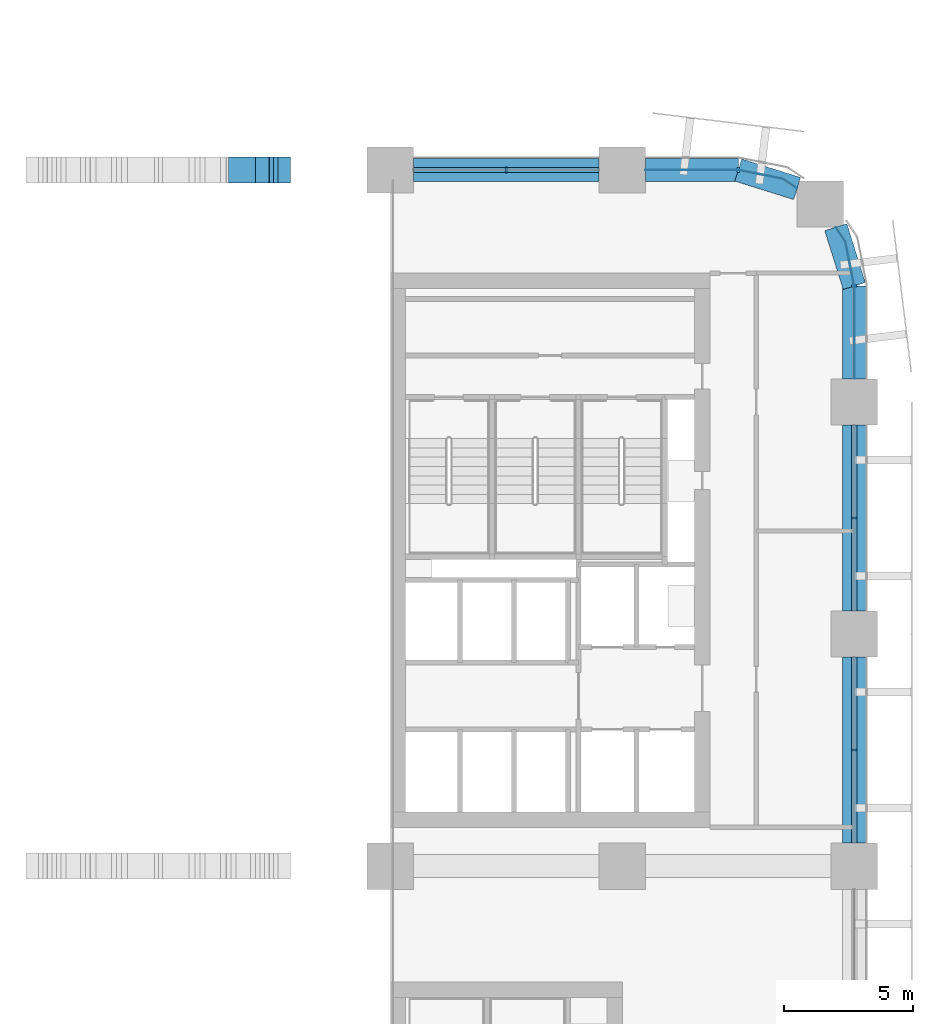
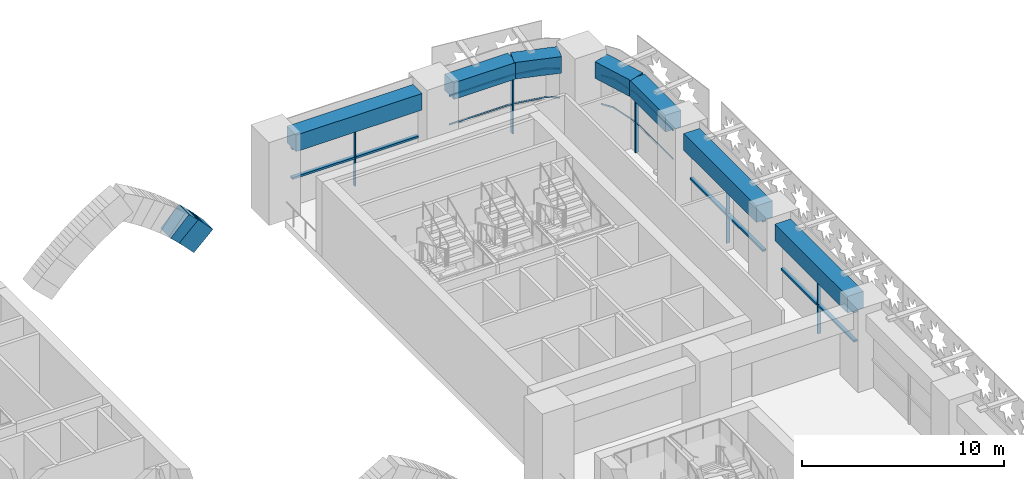
# One storey, part 9 of 40: 17 members, 7 beams, 5 elements without a shape of their own.
"""IFC4 building model written with IfcOpenShell, lengths in metres."""

from ifc_helpers import new_model, si_unit, direction, frame, origin, origin_2d, place, context, subcontext, project, spatial, polyline, rectangle, outline, extrude, material, material_profile, profile_set, type_object, element, aggregate, save


model = new_model("IFC4")

# Units and contexts
model_context = context("Model", 3, precision=1e-05, world=origin(), true_north=direction((0.0, 1.0)))
body_context = subcontext(model_context, "Body", "Model", "MODEL_VIEW")
ifc_project = project(units=[si_unit("LENGTHUNIT", "METRE"), si_unit("AREAUNIT", "SQUARE_METRE"), si_unit("VOLUMEUNIT", "CUBIC_METRE"), si_unit("PLANEANGLEUNIT", "RADIAN"), si_unit("MASSUNIT", "GRAM", prefix="KILO")], contexts=[model_context])

# Site, building, storey
site_placement = place(None, origin())
site = spatial("IfcSite", under=ifc_project, at=site_placement, CompositionType="ELEMENT")
building_placement = place(site_placement, origin())
building = spatial("IfcBuilding", under=site, at=building_placement, Name="Tessera Arch", CompositionType="ELEMENT")
storey_placement = place(building_placement, frame((0.0, 0.0, 21.0)))
storey = spatial("IfcBuildingStorey", under=building, at=storey_placement, Name="L03", CompositionType="ELEMENT", Elevation=21.0)

# Members
ifc_material_1 = material(Name="Concrete C80/95", Category="concrete")
ifc_material_profile_1 = material_profile(ifc_material_1, rectangle(XDim=1.0, YDim=1.5, at=origin_2d()), Name="RC 1000x1500")
ifc_profile_set_1 = profile_set([ifc_material_profile_1], Name="Concrete C80/95")
member_type_1 = type_object("IfcMemberType", Name="Arch rib RC 1000x1500", PredefinedType="MEMBER", material=ifc_profile_set_1)
for number, where, z_axis, x_axis, name in (
    (1, (31.590576171875, 54.0, 0.057861328125), (-0.686468964072, 0.0, 0.727159103199), (0.0, -1.0, 0.0), "Arch rib C segment 25"),
    (2, (31.113525390625, 54.0, 0.57861328125), (-0.716556380698, 0.0, 0.697529177369), (0.0, -1.0, 0.0), "Arch rib C segment 26"),
):
    element("IfcMember", number, at=place(storey_placement, frame(where, z_axis=z_axis, x_axis=x_axis)), inside=storey, type_object=member_type_1, Name=name, PredefinedType="MEMBER", context=body_context, shape_type="SweptSolid", body=[
        extrude(rectangle(XDim=1.0, YDim=1.5, at=origin_2d()), origin(), (0.0, 0.0, 1.0), 1.2060546875),
    ])

# Curtain wall, member
ifc_material_2 = material(Name="CW2 curtain wall")
curtain_wall_type_1 = type_object("IfcCurtainWallType", Name="CW2 curtain wall", PredefinedType="NOTDEFINED", material=ifc_material_2)
curtain_wall_1_placement = place(storey_placement, origin())
curtain_wall_1 = element("IfcCurtainWall", 3, at=curtain_wall_1_placement, inside=storey, type_object=curtain_wall_type_1, Name="CW2 curtain wall E54.0/4 L03", PredefinedType="NOTDEFINED")
ifc_material_3 = material(Name="Anodised aluminium pale metal", Category="aluminium")
ifc_material_profile_2 = material_profile(ifc_material_3, rectangle(XDim=0.199951171875, YDim=0.080078125, at=origin_2d()), Name="AL 80x200")
ifc_profile_set_2 = profile_set([ifc_material_profile_2], Name="Anodised aluminium pale metal")
member_type_2 = type_object("IfcMemberType", Name="CW2 mullion", PredefinedType="MULLION", material=ifc_profile_set_2)
member_1_placement = place(storey_placement, frame((54.0, 49.5, 0.0), z_axis=(0.0, 0.0, 1.0), x_axis=(-1.0, 0.0, 0.0)))
member_1 = element("IfcMember", 4, at=member_1_placement, type_object=member_type_2, Name="CW2 mullion E54.0/4 1", PredefinedType="MULLION", context=body_context, shape_type="SweptSolid", body=[
    extrude(rectangle(XDim=0.199951171875, YDim=0.080078125, at=origin_2d()), origin(), (0.0, 0.0, 1.0), 3.449951171875),
])

curtain_wall_2_placement = place(storey_placement, origin())
curtain_wall_2 = element("IfcCurtainWall", 5, at=curtain_wall_2_placement, inside=storey, type_object=curtain_wall_type_1, Name="CW2 curtain wall N54.36/0 L03", PredefinedType="NOTDEFINED")
member_2_placement = place(storey_placement, frame((49.5, 54.0, 0.0), z_axis=(0.0, 0.0, 1.0), x_axis=(0.0, -1.0, 0.0)))
member_2 = element("IfcMember", 6, at=member_2_placement, type_object=member_type_2, Name="CW2 mullion N54.36/0 1", PredefinedType="MULLION", context=body_context, shape_type="SweptSolid", body=[
    extrude(rectangle(XDim=0.199951171875, YDim=0.080078125, at=origin_2d()), origin(), (0.0, 0.0, 1.0), 3.449951171875),
])

# Member
ifc_material_4 = material(Name="Anodised aluminium pale metal", Category="aluminium")
ifc_material_profile_3 = material_profile(ifc_material_4, rectangle(XDim=0.199951171875, YDim=0.10009765625, at=origin_2d()), Name="AL 200x100")
ifc_profile_set_3 = profile_set([ifc_material_profile_3], Name="Anodised aluminium pale metal")
member_type_3 = type_object("IfcMemberType", Name="CW2 transom", PredefinedType="USERDEFINED", material=ifc_profile_set_3)
member_3_placement = place(storey_placement, frame((0.0, 0.0, 1.72509765625)))
member_3 = element("IfcMember", 7, at=member_3_placement, type_object=member_type_3, Name="CW2 transom E54.0/4 1", ObjectType="TRANSOM", PredefinedType="USERDEFINED", context=body_context, shape_type="SweptSolid", body=[
    extrude(outline(polyline([(53.989990234375, 49.4990234375), (53.989990234375, 45.89990234375), (54.010009765625, 45.89990234375), (54.010009765625, 49.5009765625), (53.6669921875, 51.22607421875), (53.29150390625, 51.78759765625), (53.27490234375, 51.7763671875), (53.648193359375, 51.21826171875), (53.989990234375, 49.4990234375)])), origin(), (0.0, 0.0, 1.0), 0.099853515625),
])

member_4_placement = place(storey_placement, frame((0.0, 0.0, 3.449951171875)))
member_4 = element("IfcMember", 8, at=member_4_placement, type_object=member_type_3, Name="CW2 transom E54.0/4 2", ObjectType="TRANSOM", PredefinedType="USERDEFINED", context=body_context, shape_type="SweptSolid", body=[
    extrude(outline(polyline([(53.989990234375, 49.4990234375), (53.989990234375, 45.89990234375), (54.010009765625, 45.89990234375), (54.010009765625, 49.5009765625), (53.6669921875, 51.22607421875), (53.29150390625, 51.78759765625), (53.27490234375, 51.7763671875), (53.648193359375, 51.21826171875), (53.989990234375, 49.4990234375)])), origin(), (0.0, 0.0, 1.0), 0.10009765625),
])

aggregate(curtain_wall_1, [member_1, member_3, member_4])

member_5_placement = place(storey_placement, frame((0.0, 0.0, 1.72509765625)))
member_5 = element("IfcMember", 9, at=member_5_placement, type_object=member_type_3, Name="CW2 transom N54.36/0 1", ObjectType="TRANSOM", PredefinedType="USERDEFINED", context=body_context, shape_type="SweptSolid", body=[
    extrude(outline(polyline([(51.21826171875, 53.648193359375), (51.7763671875, 53.27490234375), (51.78759765625, 53.29150390625), (51.22607421875, 53.6669921875), (49.5009765625, 54.010009765625), (45.89990234375, 54.010009765625), (45.89990234375, 53.989990234375), (49.4990234375, 53.989990234375), (51.21826171875, 53.648193359375)])), origin(), (0.0, 0.0, 1.0), 0.099853515625),
])

member_6_placement = place(storey_placement, frame((0.0, 0.0, 3.449951171875)))
member_6 = element("IfcMember", 10, at=member_6_placement, type_object=member_type_3, Name="CW2 transom N54.36/0 2", ObjectType="TRANSOM", PredefinedType="USERDEFINED", context=body_context, shape_type="SweptSolid", body=[
    extrude(outline(polyline([(51.21826171875, 53.648193359375), (51.7763671875, 53.27490234375), (51.78759765625, 53.29150390625), (51.22607421875, 53.6669921875), (49.5009765625, 54.010009765625), (45.89990234375, 54.010009765625), (45.89990234375, 53.989990234375), (49.4990234375, 53.989990234375), (51.21826171875, 53.648193359375)])), origin(), (0.0, 0.0, 1.0), 0.10009765625),
])

aggregate(curtain_wall_2, [member_2, member_5, member_6])

# Curtain wall, member
ifc_material_5 = material(Name="CW6 curtain wall")
curtain_wall_type_2 = type_object("IfcCurtainWallType", Name="CW6 curtain wall", PredefinedType="NOTDEFINED", material=ifc_material_5)
curtain_wall_3_placement = place(storey_placement, origin())
curtain_wall_3 = element("IfcCurtainWall", 11, at=curtain_wall_3_placement, inside=storey, type_object=curtain_wall_type_2, Name="CW6 curtain wall E54.0/2 L03", PredefinedType="NOTDEFINED")
ifc_material_6 = material(Name="Anodised aluminium pale metal", Category="aluminium")
ifc_material_profile_4 = material_profile(ifc_material_6, rectangle(XDim=0.199951171875, YDim=0.070068359375, at=origin_2d()), Name="AL 70x200")
ifc_profile_set_4 = profile_set([ifc_material_profile_4], Name="Anodised aluminium pale metal")
member_type_4 = type_object("IfcMemberType", Name="CW6 mullion", PredefinedType="MULLION", material=ifc_profile_set_4)
member_7_placement = place(storey_placement, frame((54.0, 31.5, 0.0), z_axis=(0.0, 0.0, 1.0), x_axis=(-1.0, 0.0, 0.0)))
member_7 = element("IfcMember", 12, at=member_7_placement, type_object=member_type_4, Name="CW6 mullion E54.0/2 1", PredefinedType="MULLION", context=body_context, shape_type="SweptSolid", body=[
    extrude(rectangle(XDim=0.199951171875, YDim=0.070068359375, at=origin_2d()), origin(), (0.0, 0.0, 1.0), 3.429931640625),
])

curtain_wall_4_placement = place(storey_placement, origin())
curtain_wall_4 = element("IfcCurtainWall", 13, at=curtain_wall_4_placement, inside=storey, type_object=curtain_wall_type_2, Name="CW6 curtain wall E54.0/3 L03", PredefinedType="NOTDEFINED")
member_8_placement = place(storey_placement, frame((54.0, 40.5, 0.0), z_axis=(0.0, 0.0, 1.0), x_axis=(-1.0, 0.0, 0.0)))
member_8 = element("IfcMember", 14, at=member_8_placement, type_object=member_type_4, Name="CW6 mullion E54.0/3 1", PredefinedType="MULLION", context=body_context, shape_type="SweptSolid", body=[
    extrude(rectangle(XDim=0.199951171875, YDim=0.070068359375, at=origin_2d()), origin(), (0.0, 0.0, 1.0), 3.429931640625),
])

curtain_wall_5_placement = place(storey_placement, origin())
curtain_wall_5 = element("IfcCurtainWall", 15, at=curtain_wall_5_placement, inside=storey, type_object=curtain_wall_type_2, Name="CW6 curtain wall N54.36/1 L03", PredefinedType="NOTDEFINED")
member_9_placement = place(storey_placement, frame((40.5, 54.0, 0.0), z_axis=(0.0, 0.0, 1.0), x_axis=(0.0, -1.0, 0.0)))
member_9 = element("IfcMember", 16, at=member_9_placement, type_object=member_type_4, Name="CW6 mullion N54.36/1 1", PredefinedType="MULLION", context=body_context, shape_type="SweptSolid", body=[
    extrude(rectangle(XDim=0.199951171875, YDim=0.070068359375, at=origin_2d()), origin(), (0.0, 0.0, 1.0), 3.429931640625),
])

# Member
ifc_material_7 = material(Name="Anodised aluminium pale metal", Category="aluminium")
ifc_material_profile_5 = material_profile(ifc_material_7, rectangle(XDim=0.199951171875, YDim=0.1201171875, at=origin_2d()), Name="AL 200x120")
ifc_profile_set_5 = profile_set([ifc_material_profile_5], Name="Anodised aluminium pale metal")
member_type_5 = type_object("IfcMemberType", Name="CW6 transom", PredefinedType="USERDEFINED", material=ifc_profile_set_5)
member_10_placement = place(storey_placement, frame((54.0, 27.89990234375, 3.489990234375), z_axis=(0.0, 1.0, 0.0), x_axis=(-1.0, 0.0, 0.0)))
member_10 = element("IfcMember", 17, at=member_10_placement, type_object=member_type_5, Name="CW6 transom E54.0/2 1.1", ObjectType="TRANSOM", PredefinedType="USERDEFINED", context=body_context, shape_type="SweptSolid", body=[
    extrude(rectangle(XDim=0.199951171875, YDim=0.1201171875, at=origin_2d()), origin(), (0.0, 0.0, 1.0), 7.2001953125),
])

member_11_placement = place(storey_placement, frame((54.0, 27.89990234375, 1.715087890625), z_axis=(0.0, 1.0, 0.0), x_axis=(-1.0, 0.0, 0.0)))
member_11 = element("IfcMember", 18, at=member_11_placement, type_object=member_type_5, Name="CW6 transom E54.0/2 2.1", ObjectType="TRANSOM", PredefinedType="USERDEFINED", context=body_context, shape_type="SweptSolid", body=[
    extrude(rectangle(XDim=0.199951171875, YDim=0.1201171875, at=origin_2d()), origin(), (0.0, 0.0, 1.0), 7.2001953125),
])

aggregate(curtain_wall_3, [member_7, member_10, member_11])

member_12_placement = place(storey_placement, frame((54.0, 36.89990234375, 3.489990234375), z_axis=(0.0, 1.0, 0.0), x_axis=(-1.0, 0.0, 0.0)))
member_12 = element("IfcMember", 19, at=member_12_placement, type_object=member_type_5, Name="CW6 transom E54.0/3 1.1", ObjectType="TRANSOM", PredefinedType="USERDEFINED", context=body_context, shape_type="SweptSolid", body=[
    extrude(rectangle(XDim=0.199951171875, YDim=0.1201171875, at=origin_2d()), origin(), (0.0, 0.0, 1.0), 7.2001953125),
])

member_13_placement = place(storey_placement, frame((54.0, 36.89990234375, 1.715087890625), z_axis=(0.0, 1.0, 0.0), x_axis=(-1.0, 0.0, 0.0)))
member_13 = element("IfcMember", 20, at=member_13_placement, type_object=member_type_5, Name="CW6 transom E54.0/3 2.1", ObjectType="TRANSOM", PredefinedType="USERDEFINED", context=body_context, shape_type="SweptSolid", body=[
    extrude(rectangle(XDim=0.199951171875, YDim=0.1201171875, at=origin_2d()), origin(), (0.0, 0.0, 1.0), 7.2001953125),
])

aggregate(curtain_wall_4, [member_8, member_12, member_13])

member_14_placement = place(storey_placement, frame((44.10009765625, 54.0, 3.489990234375), z_axis=(-1.0, 0.0, 0.0), x_axis=(0.0, -1.0, 0.0)))
member_14 = element("IfcMember", 21, at=member_14_placement, type_object=member_type_5, Name="CW6 transom N54.36/1 1.1", ObjectType="TRANSOM", PredefinedType="USERDEFINED", context=body_context, shape_type="SweptSolid", body=[
    extrude(rectangle(XDim=0.199951171875, YDim=0.1201171875, at=origin_2d()), origin(), (0.0, 0.0, 1.0), 7.2001953125),
])

member_15_placement = place(storey_placement, frame((44.10009765625, 54.0, 1.715087890625), z_axis=(-1.0, 0.0, 0.0), x_axis=(0.0, -1.0, 0.0)))
member_15 = element("IfcMember", 22, at=member_15_placement, type_object=member_type_5, Name="CW6 transom N54.36/1 2.1", ObjectType="TRANSOM", PredefinedType="USERDEFINED", context=body_context, shape_type="SweptSolid", body=[
    extrude(rectangle(XDim=0.199951171875, YDim=0.1201171875, at=origin_2d()), origin(), (0.0, 0.0, 1.0), 7.2001953125),
])

aggregate(curtain_wall_5, [member_9, member_14, member_15])

# Beams
ifc_material_8 = material(Name="Concrete C80/95", Category="concrete")
ifc_material_profile_6 = material_profile(ifc_material_8, rectangle(XDim=0.89990234375, YDim=1.0, at=origin_2d()), Name="RC spandrel beam 900 x 1000 Concrete C80/95")
ifc_profile_set_6 = profile_set([ifc_material_profile_6], Name="Concrete C80/95")
beam_type = type_object("IfcBeamType", Name="RC spandrel beam 900 x 1000 Concrete C80/95", PredefinedType="BEAM", material=ifc_profile_set_6)
for number, where, z_axis, x_axis, name in (
    (23, (54.0, 27.89990234375, 4.050048828125), (0.0, 1.0, 0.0), (-1.0, 0.0, 0.0), "Spandrel beam L03 E54.0/2"),
    (24, (54.0, 36.89990234375, 4.050048828125), (0.0, 1.0, 0.0), (-1.0, 0.0, 0.0), "Spandrel beam L03 E54.0/3"),
):
    element("IfcBeam", number, at=place(storey_placement, frame(where, z_axis=z_axis, x_axis=x_axis)), inside=storey, type_object=beam_type, Name=name, PredefinedType="BEAM", context=body_context, shape_type="SweptSolid", body=[
        extrude(rectangle(XDim=0.89990234375, YDim=1.0, at=origin_2d()), origin(), (0.0, 0.0, 1.0), 7.2001953125),
    ])
beam_1_placement = place(storey_placement, frame((54.0, 45.89990234375, 4.050048828125), z_axis=(0.0, 1.0, 0.0), x_axis=(-1.0, 0.0, 0.0)))
element("IfcBeam", 25, at=beam_1_placement, inside=storey, type_object=beam_type, Name="Spandrel beam L03 E54.0/4.1", PredefinedType="BEAM", context=body_context, shape_type="SweptSolid", body=[
    extrude(rectangle(XDim=0.89990234375, YDim=1.0, at=origin_2d()), origin(), (0.0, 0.0, 1.0), 3.60009765625),
])
for number, where, z_axis, x_axis, name in (
    (26, (54.0, 49.5, 4.050048828125), (-0.299675309057, 0.954041251279, 0.0), (-0.954041251279, -0.299675309057, 0.0), "Spandrel beam L03 E54.0/4.2"),
    (27, (51.781982421875, 53.283203125, 4.050048828125), (-0.954041251279, 0.299675309057, 0.0), (-0.299675309057, -0.954041251279, 0.0), "Spandrel beam L03 N54.36/0.1"),
):
    element("IfcBeam", number, at=place(storey_placement, frame(where, z_axis=z_axis, x_axis=x_axis)), inside=storey, type_object=beam_type, Name=name, PredefinedType="BEAM", context=body_context, shape_type="SweptSolid", body=[
        extrude(rectangle(XDim=0.89990234375, YDim=1.0, at=origin_2d()), origin(), (0.0, 0.0, 1.0), 2.391845703125),
    ])
beam_2_placement = place(storey_placement, frame((49.5, 54.0, 4.050048828125), z_axis=(-1.0, 0.0, 0.0), x_axis=(0.0, -1.0, 0.0)))
element("IfcBeam", 28, at=beam_2_placement, inside=storey, type_object=beam_type, Name="Spandrel beam L03 N54.36/0.2", PredefinedType="BEAM", context=body_context, shape_type="SweptSolid", body=[
    extrude(rectangle(XDim=0.89990234375, YDim=1.0, at=origin_2d()), origin(), (0.0, 0.0, 1.0), 3.60009765625),
])
beam_3_placement = place(storey_placement, frame((44.10009765625, 54.0, 4.050048828125), z_axis=(-1.0, 0.0, 0.0), x_axis=(0.0, -1.0, 0.0)))
element("IfcBeam", 29, at=beam_3_placement, inside=storey, type_object=beam_type, Name="Spandrel beam L03 N54.36/1", PredefinedType="BEAM", context=body_context, shape_type="SweptSolid", body=[
    extrude(rectangle(XDim=0.89990234375, YDim=1.0, at=origin_2d()), origin(), (0.0, 0.0, 1.0), 7.2001953125),
])

save(model, "model.ifc")
